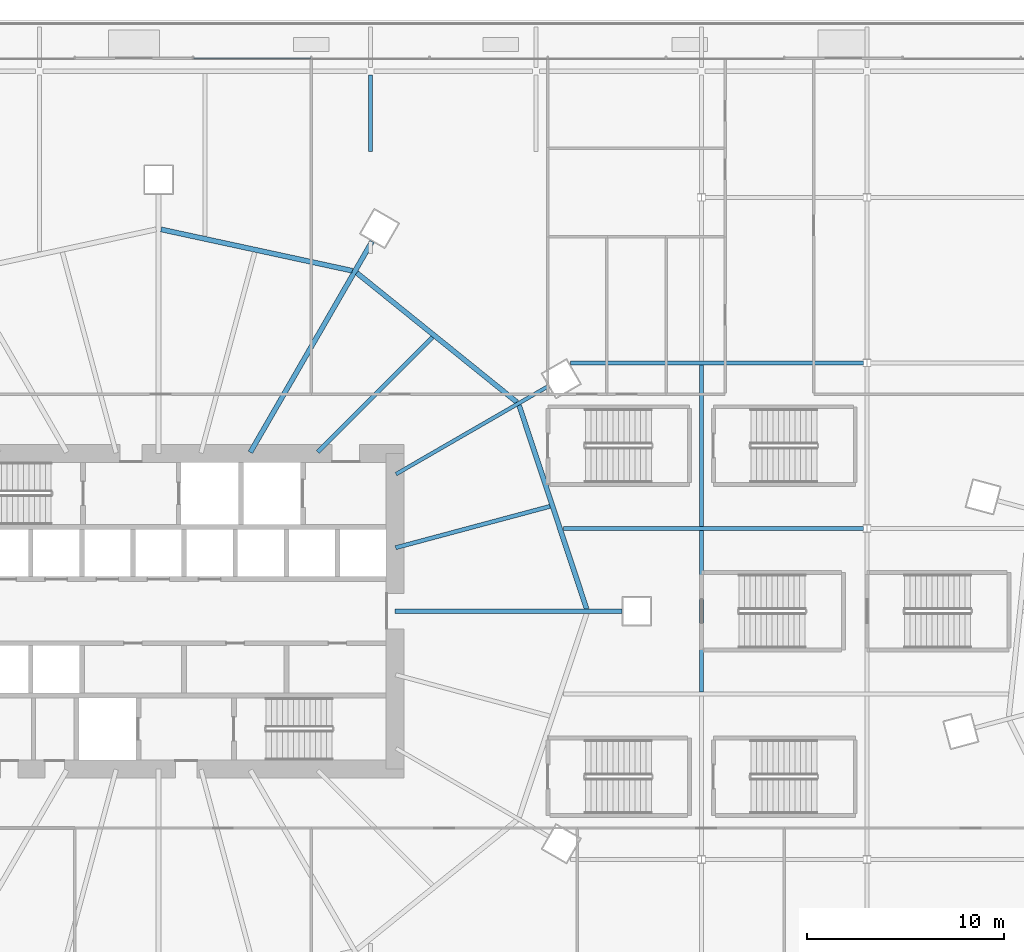
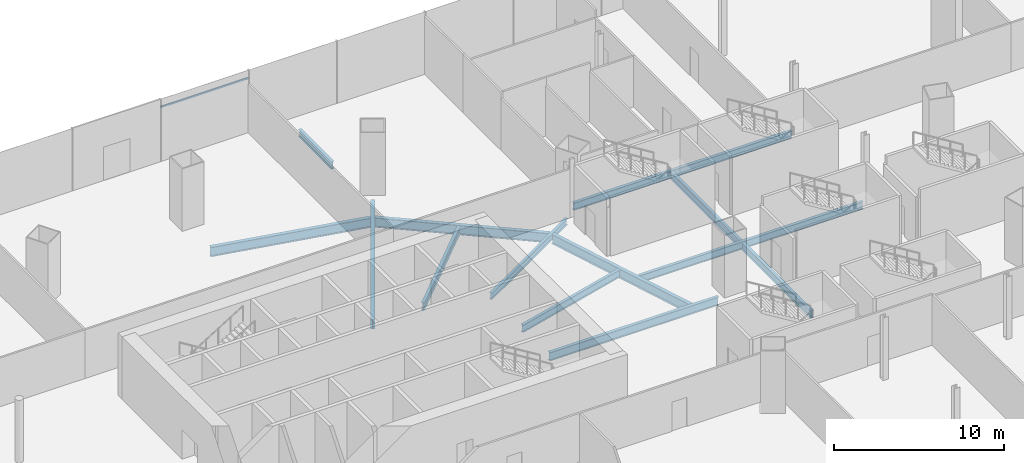
# One storey, part 19 of 52: 13 beams, 1 member, 1 element without a shape of its own.
"""IFC4 building model written with IfcOpenShell, lengths in metres."""

from ifc_helpers import new_model, si_unit, direction, frame, origin, origin_2d, place, context, subcontext, project, spatial, rectangle, i_section, extrude, material, material_profile, profile_set, type_object, element, aggregate, save


model = new_model("IFC4")

# Units and contexts
model_context = context("Model", 3, precision=1e-05, world=origin(), true_north=direction((0.0, 1.0)))
body_context = subcontext(model_context, "Body", "Model", "MODEL_VIEW")
ifc_project = project(units=[si_unit("LENGTHUNIT", "METRE"), si_unit("AREAUNIT", "SQUARE_METRE"), si_unit("VOLUMEUNIT", "CUBIC_METRE"), si_unit("PLANEANGLEUNIT", "RADIAN"), si_unit("MASSUNIT", "GRAM", prefix="KILO")], contexts=[model_context])

# Site, building, storey
site_placement = place(None, origin())
site = spatial("IfcSite", under=ifc_project, at=site_placement, CompositionType="ELEMENT")
building_placement = place(site_placement, origin())
building = spatial("IfcBuilding", under=site, at=building_placement, Name="Rimbun Link Towers", CompositionType="ELEMENT")
storey_placement = place(building_placement, frame((0.0, 0.0, 21.0)))
storey = spatial("IfcBuildingStorey", under=building, at=storey_placement, Name="L04", CompositionType="ELEMENT", Elevation=21.0)

# Curtain wall, member
ifc_material_1 = material(Name="Aluminium 6063-T6 and low-iron glass", Category="aluminium")
curtain_wall_type = type_object("IfcCurtainWallType", Name="CW3 podium shopfront", PredefinedType="NOTDEFINED", material=ifc_material_1)
curtain_wall_placement = place(storey_placement, origin())
curtain_wall = element("IfcCurtainWall", 1, at=curtain_wall_placement, inside=storey, type_object=curtain_wall_type, Name="CW3 L04 PD", PredefinedType="NOTDEFINED")
ifc_material_2 = material(Name="Aluminium 6063-T6", Category="aluminium")
ifc_material_profile_1 = material_profile(ifc_material_2, rectangle(XDim=0.06005859375, YDim=0.1201171875, at=origin_2d()), Name="TRANSOM 60X120")
ifc_profile_set_1 = profile_set([ifc_material_profile_1], Name="Aluminium 6063-T6")
member_type = type_object("IfcMemberType", Name="CW3 transom 60X120", PredefinedType="USERDEFINED", material=ifc_profile_set_1)
member_placement = place(storey_placement, frame((-29.969970703125, 28.053955078125, 3.89990234375), z_axis=(1.0, 0.0, 0.0), x_axis=(0.0, 1.0, 0.0)))
member = element("IfcMember", 2, at=member_placement, type_object=member_type, Name="CW3 transom", ObjectType="TRANSOM", PredefinedType="USERDEFINED", context=body_context, shape_type="SweptSolid", body=[
    extrude(rectangle(XDim=0.06005859375, YDim=0.1201171875, at=origin_2d()), origin(), (0.0, 0.0, 1.0), 5.93994140625),
])
aggregate(curtain_wall, [member])

# Beams
ifc_material_3 = material(Name="Steel S355J2", Category="steel")
ifc_material_profile_2 = material_profile(ifc_material_3, i_section(OverallWidth=0.18994140625, OverallDepth=0.453369140625, WebThickness=0.008544921875, FlangeThickness=0.0126953125, at=origin_2d()), Name="UB 457x191x67")
ifc_profile_set_2 = profile_set([ifc_material_profile_2], Name="Steel S355J2")
beam_type_1 = type_object("IfcBeamType", Name="UB 457x191x67", PredefinedType="BEAM", material=ifc_profile_set_2)
beam_1_placement = place(storey_placement, frame((-19.70166015625, 6.9560546875, -0.526611328125), z_axis=(0.866022633403, 0.500004798411, 0.0), x_axis=(-0.500004798411, 0.866022633403, 0.0)))
element("IfcBeam", 3, at=beam_1_placement, inside=storey, type_object=beam_type_1, Name="Radial beam T1 L04 02", PredefinedType="BEAM", context=body_context, shape_type="SweptSolid", body=[
    extrude(i_section(OverallWidth=0.18994140625, OverallDepth=0.453369140625, WebThickness=0.008544921875, FlangeThickness=0.0126953125, at=origin_2d()), origin(), (0.0, 0.0, 1.0), 8.93212890625),
])
ifc_material_4 = material(Name="Steel S355J2", Category="steel")
ifc_material_profile_3 = material_profile(ifc_material_4, i_section(OverallWidth=0.209228515625, OverallDepth=0.533203125, WebThickness=0.010009765625, FlangeThickness=0.015625, at=origin_2d()), Name="UB 533x210x92")
ifc_profile_set_3 = profile_set([ifc_material_profile_3], Name="Steel S355J2")
beam_type_2 = type_object("IfcBeamType", Name="UB 533x210x92", PredefinedType="BEAM", material=ifc_profile_set_3)
beam_2_placement = place(storey_placement, frame((-19.721923828125, 3.222900390625, -0.56640625), z_axis=(0.965927890386, 0.258811341663, 0.0), x_axis=(-0.258811341663, 0.965927890386, 0.0)))
element("IfcBeam", 4, at=beam_2_placement, inside=storey, type_object=beam_type_2, Name="Radial beam T1 L04 01", PredefinedType="BEAM", context=body_context, shape_type="SweptSolid", body=[
    extrude(i_section(OverallWidth=0.209228515625, OverallDepth=0.533203125, WebThickness=0.010009765625, FlangeThickness=0.015625, at=origin_2d()), origin(), (0.0, 0.0, 1.0), 8.10791015625),
])
beam_3_placement = place(storey_placement, frame((-23.67529296875, 8.07470703125, -0.56640625), z_axis=(0.707106781187, 0.707106781187, 0.0), x_axis=(-0.707106781187, 0.707106781187, 0.0)))
element("IfcBeam", 5, at=beam_3_placement, inside=storey, type_object=beam_type_2, Name="Radial beam T1 L04 03", PredefinedType="BEAM", context=body_context, shape_type="SweptSolid", body=[
    extrude(i_section(OverallWidth=0.209228515625, OverallDepth=0.533203125, WebThickness=0.010009765625, FlangeThickness=0.015625, at=origin_2d()), origin(), (0.0, 0.0, 1.0), 8.239501953125),
])
beam_4_placement = place(storey_placement, frame((-11.214599609375, 4.199951171875, -0.56640625), z_axis=(1.0, 0.0, 0.0), x_axis=(0.0, 1.0, 0.0)))
element("IfcBeam", 6, at=beam_4_placement, inside=storey, type_object=beam_type_2, Name="Grid beam L04 +4.2", PredefinedType="BEAM", context=body_context, shape_type="SweptSolid", body=[
    extrude(i_section(OverallWidth=0.209228515625, OverallDepth=0.533203125, WebThickness=0.010009765625, FlangeThickness=0.015625, at=origin_2d()), origin(), (0.0, 0.0, 1.0), 15.2294921875),
])
beam_5_placement = place(storey_placement, frame((-10.846923828125, 12.60009765625, -0.56640625), z_axis=(1.0, 0.0, 0.0), x_axis=(0.0, 1.0, 0.0)))
element("IfcBeam", 7, at=beam_5_placement, inside=storey, type_object=beam_type_2, Name="Grid beam L04 +12.6", PredefinedType="BEAM", context=body_context, shape_type="SweptSolid", body=[
    extrude(i_section(OverallWidth=0.209228515625, OverallDepth=0.533203125, WebThickness=0.010009765625, FlangeThickness=0.015625, at=origin_2d()), origin(), (0.0, 0.0, 1.0), 14.86181640625),
])
beam_6_placement = place(storey_placement, frame((-21.0, 23.319091796875, -0.56640625), z_axis=(0.0, 1.0, 0.0), x_axis=(-1.0, 0.0, 0.0)))
element("IfcBeam", 8, at=beam_6_placement, inside=storey, type_object=beam_type_2, Name="Grid beam L04 -21.0", PredefinedType="BEAM", context=body_context, shape_type="SweptSolid", body=[
    extrude(i_section(OverallWidth=0.209228515625, OverallDepth=0.533203125, WebThickness=0.010009765625, FlangeThickness=0.015625, at=origin_2d()), origin(), (0.0, 0.0, 1.0), 3.89990234375),
])
for number, where, z_axis, x_axis, name in (
    (9, (-4.199951171875, -4.09521484375, -0.56640625), (0.0, 1.0, 0.0), (-1.0, 0.0, 0.0), "Grid beam L04 -4.2"),
    (10, (-4.199951171875, 4.3046875, -0.56640625), (0.0, 1.0, 0.0), (-1.0, 0.0, 0.0), "Grid beam L04 -4.2"),
):
    element("IfcBeam", number, at=place(storey_placement, frame(where, z_axis=z_axis, x_axis=x_axis)), inside=storey, type_object=beam_type_2, Name=name, PredefinedType="BEAM", context=body_context, shape_type="SweptSolid", body=[
        extrude(i_section(OverallWidth=0.209228515625, OverallDepth=0.533203125, WebThickness=0.010009765625, FlangeThickness=0.015625, at=origin_2d()), origin(), (0.0, 0.0, 1.0), 8.190673828125),
    ])
ifc_material_5 = material(Name="Steel S355J2", Category="steel")
ifc_material_profile_4 = material_profile(ifc_material_5, i_section(OverallWidth=0.2275390625, OverallDepth=0.6025390625, WebThickness=0.010498046875, FlangeThickness=0.014892578125, at=origin_2d()), Name="UB 610x229x101")
ifc_profile_set_4 = profile_set([ifc_material_profile_4], Name="Steel S355J2")
beam_type_3 = type_object("IfcBeamType", Name="UB 610x229x101", PredefinedType="BEAM", material=ifc_profile_set_4)
beam_7_placement = place(storey_placement, frame((-19.7490234375, 0.0, -0.601318359375), z_axis=(1.0, 0.0, 0.0), x_axis=(0.0, 1.0, 0.0)))
element("IfcBeam", 11, at=beam_7_placement, inside=storey, type_object=beam_type_3, Name="Radial beam T1 L04 00", PredefinedType="BEAM", context=body_context, shape_type="SweptSolid", body=[
    extrude(i_section(OverallWidth=0.2275390625, OverallDepth=0.6025390625, WebThickness=0.010498046875, FlangeThickness=0.014892578125, at=origin_2d()), origin(), (0.0, 0.0, 1.0), 11.51171875),
])
ifc_material_6 = material(Name="Steel S355J2", Category="steel")
ifc_material_profile_5 = material_profile(ifc_material_6, i_section(OverallWidth=0.253662109375, OverallDepth=0.68359375, WebThickness=0.012451171875, FlangeThickness=0.01904296875, at=origin_2d()), Name="UB 686x254x140")
ifc_profile_set_5 = profile_set([ifc_material_profile_5], Name="Steel S355J2")
beam_type_4 = type_object("IfcBeamType", Name="UB 686x254x140", PredefinedType="BEAM", material=ifc_profile_set_5)
beam_8_placement = place(storey_placement, frame((-27.093994140625, 8.064208984375, -0.641845703125), z_axis=(0.499992594562, 0.866029679274, 0.0), x_axis=(-0.866029679274, 0.499992594562, 0.0)))
element("IfcBeam", 12, at=beam_8_placement, inside=storey, type_object=beam_type_4, Name="Radial beam T1 L04 04", PredefinedType="BEAM", context=body_context, shape_type="SweptSolid", body=[
    extrude(i_section(OverallWidth=0.253662109375, OverallDepth=0.68359375, WebThickness=0.012451171875, FlangeThickness=0.01904296875, at=origin_2d()), origin(), (0.0, 0.0, 1.0), 12.360595703125),
])
beam_9_placement = place(storey_placement, frame((-10.02880859375, 0.11474609375, -0.641845703125), z_axis=(-0.314841882336, 0.949144135064, 0.0), x_axis=(-0.949144135064, -0.314841882336, 0.0)))
element("IfcBeam", 13, at=beam_9_placement, inside=storey, type_object=beam_type_4, Name="Edge beam T1 L04 00-02", PredefinedType="BEAM", context=body_context, shape_type="SweptSolid", body=[
    extrude(i_section(OverallWidth=0.253662109375, OverallDepth=0.68359375, WebThickness=0.012451171875, FlangeThickness=0.01904296875, at=origin_2d()), origin(), (0.0, 0.0, 1.0), 10.889404296875),
])
beam_10_placement = place(storey_placement, frame((-13.568115234375, 10.60791015625, -0.641845703125), z_axis=(-0.778006680284, 0.628256003102, 0.0), x_axis=(-0.628256003102, -0.778006680284, 0.0)))
element("IfcBeam", 14, at=beam_10_placement, inside=storey, type_object=beam_type_4, Name="Edge beam T1 L04 02-04", PredefinedType="BEAM", context=body_context, shape_type="SweptSolid", body=[
    extrude(i_section(OverallWidth=0.253662109375, OverallDepth=0.68359375, WebThickness=0.012451171875, FlangeThickness=0.01904296875, at=origin_2d()), origin(), (0.0, 0.0, 1.0), 10.4404296875),
])
beam_11_placement = place(storey_placement, frame((-21.922607421875, 17.27685546875, -0.641845703125), z_axis=(-0.977390124833, 0.211443949734, 0.0), x_axis=(-0.211443949734, -0.977390124833, 0.0)))
element("IfcBeam", 15, at=beam_11_placement, inside=storey, type_object=beam_type_4, Name="Edge beam T1 L04 04-06", PredefinedType="BEAM", context=body_context, shape_type="SweptSolid", body=[
    extrude(i_section(OverallWidth=0.253662109375, OverallDepth=0.68359375, WebThickness=0.012451171875, FlangeThickness=0.01904296875, at=origin_2d()), origin(), (0.0, 0.0, 1.0), 9.924072265625),
])

save(model, "model.ifc")
